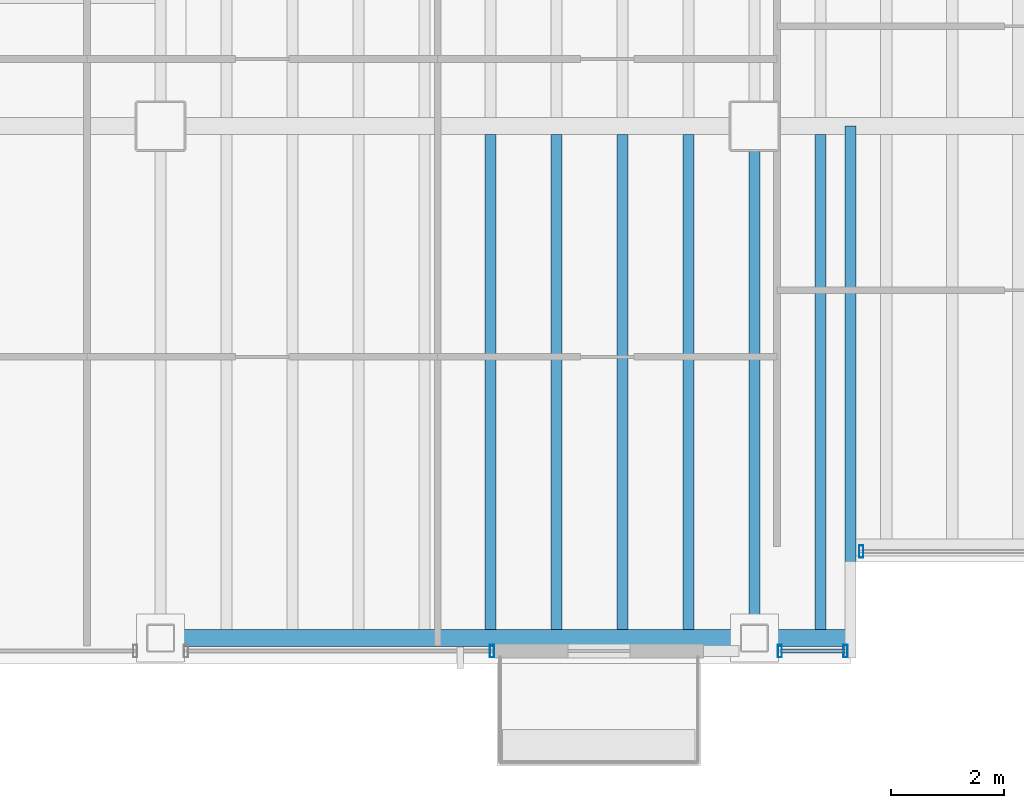
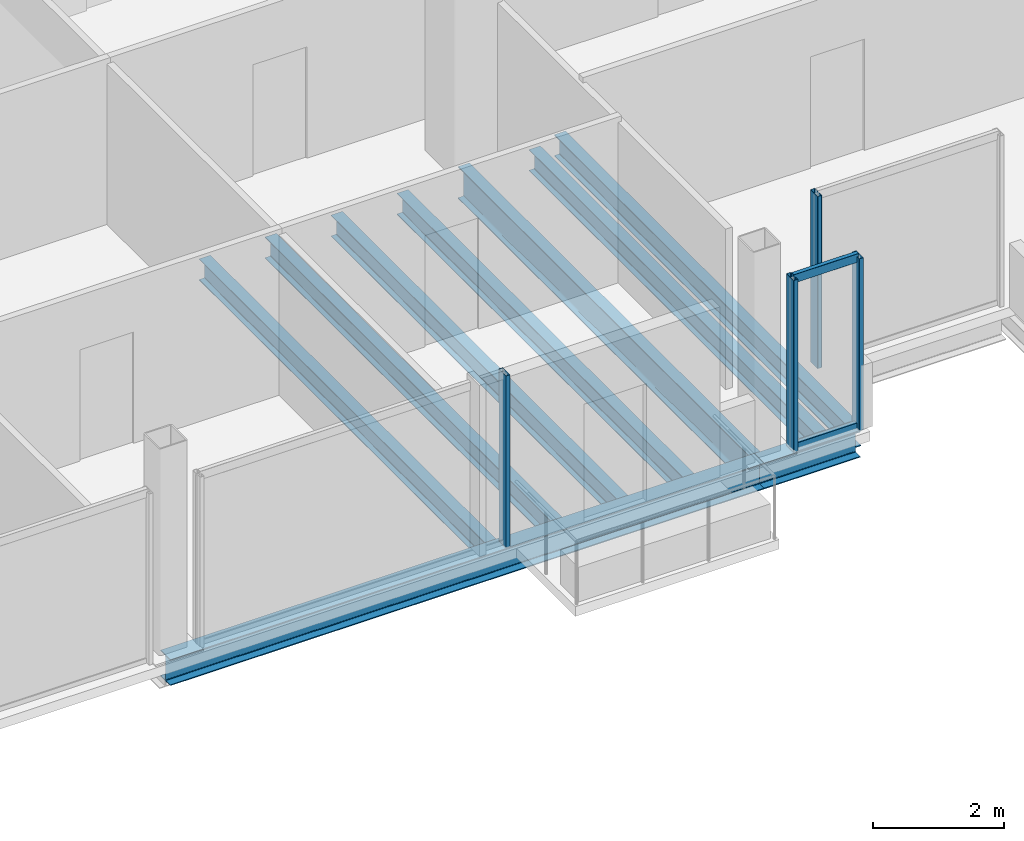
# One storey, part 5 of 22: 9 beams, 6 members, 3 elements without a shape of their own.
"""IFC4 building model written with IfcOpenShell, lengths in metres."""

from ifc_helpers import new_model, si_unit, direction, frame, origin, origin_2d, place, context, subcontext, project, spatial, hollow_rectangle, i_section, extrude, material, material_profile, profile_set, type_object, element, aggregate, save


model = new_model("IFC4")

# Units and contexts
model_context = context("Model", 3, precision=1e-05, world=origin(), true_north=direction((0.0, 1.0)))
body_context = subcontext(model_context, "Body", "Model", "MODEL_VIEW")
ifc_project = project(units=[si_unit("LENGTHUNIT", "METRE"), si_unit("AREAUNIT", "SQUARE_METRE"), si_unit("VOLUMEUNIT", "CUBIC_METRE"), si_unit("PLANEANGLEUNIT", "RADIAN"), si_unit("MASSUNIT", "GRAM", prefix="KILO")], contexts=[model_context])

# Site, building, storey
site_placement = place(None, origin())
site = spatial("IfcSite", under=ifc_project, at=site_placement, CompositionType="ELEMENT")
building_placement = place(site_placement, origin())
building = spatial("IfcBuilding", under=site, at=building_placement, Name="Noeulbin Bourse Tower", CompositionType="ELEMENT")
storey_placement = place(building_placement, frame((0.0, 0.0, 134.39990234375)))
storey = spatial("IfcBuildingStorey", under=building, at=storey_placement, Name="L33", CompositionType="ELEMENT", Elevation=134.39990234375)

# Beams
ifc_material_1 = material(Name="Steel S355", Category="steel")
ifc_material_profile_1 = material_profile(ifc_material_1, i_section(OverallWidth=0.199951171875, OverallDepth=0.60009765625, WebThickness=0.010986328125, FlangeThickness=0.01708984375, FilletRadius=0.02197265625, at=origin_2d()), Name="H-600x200x11x17", Category="LoadBearing")
ifc_profile_set_1 = profile_set([ifc_material_profile_1], Name="Steel S355")
beam_type_1 = type_object("IfcBeamType", Name="BM-GRD-600", PredefinedType="USERDEFINED", material=ifc_profile_set_1)
beam_1_placement = place(storey_placement, frame((24.0, 10.949951171875, -0.47998046875), z_axis=(0.0, 1.0, 0.0), x_axis=(-1.0, 0.0, 0.0)))
element("IfcBeam", 1, at=beam_1_placement, inside=storey, type_object=beam_type_1, Name="Tower Primary Girder NS L33-2.1", ObjectType="GIRDER", PredefinedType="USERDEFINED", context=body_context, shape_type="SweptSolid", body=[
    extrude(i_section(OverallWidth=0.199951171875, OverallDepth=0.60009765625, WebThickness=0.010986328125, FlangeThickness=0.01708984375, FilletRadius=0.02197265625, at=origin_2d()), origin(), (0.0, 0.0, 1.0), 9.050048828125),
])
ifc_material_profile_2 = material_profile(ifc_material_1, i_section(OverallWidth=0.199951171875, OverallDepth=0.39990234375, WebThickness=0.008056640625, FlangeThickness=0.012939453125, FilletRadius=0.01611328125, at=origin_2d()), Name="H-400x200x8x13", Category="LoadBearing")
ifc_profile_set_2 = profile_set([ifc_material_profile_2], Name="Steel S355")
beam_type_2 = type_object("IfcBeamType", Name="BM-SEC-400", PredefinedType="BEAM", material=ifc_profile_set_2)
beam_2_placement = place(storey_placement, frame((25.699951171875, 10.949951171875, -0.3798828125), z_axis=(0.0, 1.0, 0.0), x_axis=(-1.0, 0.0, 0.0)))
element("IfcBeam", 2, at=beam_2_placement, inside=storey, type_object=beam_type_2, Name="BM-L33-SRT-W", PredefinedType="BEAM", context=body_context, shape_type="SweptSolid", body=[
    extrude(i_section(OverallWidth=0.199951171875, OverallDepth=0.39990234375, WebThickness=0.008056640625, FlangeThickness=0.012939453125, FilletRadius=0.01611328125, at=origin_2d()), origin(), (0.0, 0.0, 1.0), 9.050048828125),
])
for number, where, z_axis, x_axis, name in (
    (3, (19.333251953125, 11.10009765625, -0.3798828125), (0.0, 1.0, 0.0), (-1.0, 0.0, 0.0), "Tower Composite Joist L33-09"),
    (4, (20.5, 11.10009765625, -0.3798828125), (0.0, 1.0, 0.0), (-1.0, 0.0, 0.0), "Tower Composite Joist L33-11"),
    (5, (21.666748046875, 11.10009765625, -0.3798828125), (0.0, 1.0, 0.0), (-1.0, 0.0, 0.0), "Tower Composite Joist L33-13"),
    (6, (22.833251953125, 11.10009765625, -0.3798828125), (0.0, 1.0, 0.0), (-1.0, 0.0, 0.0), "Tower Composite Joist L33-15"),
    (7, (25.166748046875, 11.10009765625, -0.3798828125), (0.0, 1.0, 0.0), (-1.0, 0.0, 0.0), "Tower Composite Joist L33-17"),
):
    element("IfcBeam", number, at=place(storey_placement, frame(where, z_axis=z_axis, x_axis=x_axis)), inside=storey, type_object=beam_type_2, Name=name, PredefinedType="BEAM", context=body_context, shape_type="SweptSolid", body=[
        extrude(i_section(OverallWidth=0.199951171875, OverallDepth=0.39990234375, WebThickness=0.008056640625, FlangeThickness=0.012939453125, FilletRadius=0.01611328125, at=origin_2d()), origin(), (0.0, 0.0, 1.0), 8.75),
    ])
ifc_material_profile_3 = material_profile(ifc_material_1, i_section(OverallWidth=0.300048828125, OverallDepth=0.488037109375, WebThickness=0.010986328125, FlangeThickness=0.01806640625, FilletRadius=0.02197265625, at=origin_2d()), Name="H-488x300x11x18", Category="LoadBearing")
ifc_profile_set_3 = profile_set([ifc_material_profile_3], Name="Steel S355")
beam_type_3 = type_object("IfcBeamType", Name="BM-SPN-488", PredefinedType="SPANDREL", material=ifc_profile_set_3)
beam_3_placement = place(storey_placement, frame((13.5, 10.949951171875, -0.423828125), z_axis=(1.0, 0.0, 0.0), x_axis=(0.0, 1.0, 0.0)))
element("IfcBeam", 8, at=beam_3_placement, inside=storey, type_object=beam_type_3, Name="South Spandrel L33-1", PredefinedType="SPANDREL", context=body_context, shape_type="SweptSolid", body=[
    extrude(i_section(OverallWidth=0.300048828125, OverallDepth=0.488037109375, WebThickness=0.010986328125, FlangeThickness=0.01806640625, FilletRadius=0.02197265625, at=origin_2d()), origin(), (0.0, 0.0, 1.0), 10.5),
])
beam_4_placement = place(storey_placement, frame((24.0, 10.949951171875, -0.423828125), z_axis=(1.0, 0.0, 0.0), x_axis=(0.0, 1.0, 0.0)))
element("IfcBeam", 9, at=beam_4_placement, inside=storey, type_object=beam_type_3, Name="South Spandrel L33-2A", PredefinedType="SPANDREL", context=body_context, shape_type="SweptSolid", body=[
    extrude(i_section(OverallWidth=0.300048828125, OverallDepth=0.488037109375, WebThickness=0.010986328125, FlangeThickness=0.01806640625, FilletRadius=0.02197265625, at=origin_2d()), origin(), (0.0, 0.0, 1.0), 1.699951171875),
])

# Curtain wall, member
ifc_material_2 = material(Name="Dark Tinted Triple Glazing", Category="glass")
curtain_wall_type = type_object("IfcCurtainWallType", Name="CW-SYS-3", PredefinedType="NOTDEFINED", material=ifc_material_2)
curtain_wall_1_placement = place(storey_placement, origin())
curtain_wall_1 = element("IfcCurtainWall", 10, at=curtain_wall_1_placement, inside=storey, type_object=curtain_wall_type, Name="Unitised Curtain Wall CW-L33-SREC", PredefinedType="NOTDEFINED")
ifc_material_3 = material(Name="Anodised Aluminium 6063-T6", Category="aluminium")
ifc_material_profile_4 = material_profile(ifc_material_3, hollow_rectangle(XDim=0.074951171875, YDim=0.219970703125, WallThickness=0.0048828125, InnerFilletRadius=0.00244140625, OuterFilletRadius=0.0048828125, at=origin_2d()), Name="ALU-MULL-75x220x5", Category="LoadBearing")
ifc_profile_set_4 = profile_set([ifc_material_profile_4], Name="Anodised Aluminium 6063-T6")
member_type_1 = type_object("IfcMemberType", Name="CW-SYS-3-MUL", PredefinedType="MULLION", material=ifc_profile_set_4)
member_1_placement = place(storey_placement, frame((25.889892578125, 12.47998046875, -0.02001953125), z_axis=(0.0, 0.0, 1.0), x_axis=(1.0, 0.0, 0.0)))
member_1 = element("IfcMember", 11, at=member_1_placement, type_object=member_type_1, Name="Curtain Wall Mullion CW-L33-SREC-M00", PredefinedType="MULLION", context=body_context, shape_type="SweptSolid", body=[
    extrude(hollow_rectangle(XDim=0.074951171875, YDim=0.219970703125, WallThickness=0.0048828125, InnerFilletRadius=0.00244140625, OuterFilletRadius=0.0048828125, at=origin_2d()), origin(), (0.0, 0.0, 1.0), 3.22021484375),
])
aggregate(curtain_wall_1, [member_1])

curtain_wall_2_placement = place(storey_placement, origin())
curtain_wall_2 = element("IfcCurtainWall", 12, at=curtain_wall_2_placement, inside=storey, type_object=curtain_wall_type, Name="Unitised Curtain Wall CW-L33-S1-S2", PredefinedType="NOTDEFINED")
member_2_placement = place(storey_placement, frame((19.360107421875, 10.719970703125, -0.02001953125), z_axis=(0.0, 0.0, 1.0), x_axis=(1.0, 0.0, 0.0)))
member_2 = element("IfcMember", 13, at=member_2_placement, type_object=member_type_1, Name="Curtain Wall Mullion CW-L33-S1-S2-M01", PredefinedType="MULLION", context=body_context, shape_type="SweptSolid", body=[
    extrude(hollow_rectangle(XDim=0.074951171875, YDim=0.219970703125, WallThickness=0.0048828125, InnerFilletRadius=0.00244140625, OuterFilletRadius=0.0048828125, at=origin_2d()), origin(), (0.0, 0.0, 1.0), 3.22021484375),
])
aggregate(curtain_wall_2, [member_2])

# Curtain wall, members
curtain_wall_3_placement = place(storey_placement, origin())
curtain_wall_3 = element("IfcCurtainWall", 14, at=curtain_wall_3_placement, inside=storey, type_object=curtain_wall_type, Name="Unitised Curtain Wall CW-L33-S2", PredefinedType="NOTDEFINED")
member_3_placement = place(storey_placement, frame((24.449951171875, 10.719970703125, -0.02001953125), z_axis=(0.0, 0.0, 1.0), x_axis=(1.0, 0.0, 0.0)))
member_3 = element("IfcMember", 15, at=member_3_placement, type_object=member_type_1, Name="Curtain Wall Mullion CW-L33-S2-M00", PredefinedType="MULLION", context=body_context, shape_type="SweptSolid", body=[
    extrude(hollow_rectangle(XDim=0.074951171875, YDim=0.219970703125, WallThickness=0.0048828125, InnerFilletRadius=0.00244140625, OuterFilletRadius=0.0048828125, at=origin_2d()), origin(), (0.0, 0.0, 1.0), 3.22021484375),
])
member_4_placement = place(storey_placement, frame((25.610107421875, 10.719970703125, -0.02001953125), z_axis=(0.0, 0.0, 1.0), x_axis=(1.0, 0.0, 0.0)))
member_4 = element("IfcMember", 16, at=member_4_placement, type_object=member_type_1, Name="Curtain Wall Mullion CW-L33-S2-M01", PredefinedType="MULLION", context=body_context, shape_type="SweptSolid", body=[
    extrude(hollow_rectangle(XDim=0.074951171875, YDim=0.219970703125, WallThickness=0.0048828125, InnerFilletRadius=0.00244140625, OuterFilletRadius=0.0048828125, at=origin_2d()), origin(), (0.0, 0.0, 1.0), 3.22021484375),
])
ifc_material_profile_5 = material_profile(ifc_material_3, hollow_rectangle(XDim=0.074951171875, YDim=0.159912109375, WallThickness=0.0048828125, InnerFilletRadius=0.00244140625, OuterFilletRadius=0.0048828125, at=origin_2d()), Name="ALU-TRAN-75x160x5", Category="LoadBearing")
ifc_profile_set_5 = profile_set([ifc_material_profile_5], Name="Anodised Aluminium 6063-T6")
member_type_2 = type_object("IfcMemberType", Name="CW-SYS-3-TRN", PredefinedType="USERDEFINED", material=ifc_profile_set_5)
member_5_placement = place(storey_placement, frame((24.4599609375, 10.719970703125, 0.010009765625), z_axis=(1.0, 0.0, 0.0), x_axis=(0.0, 1.0, 0.0)))
member_5 = element("IfcMember", 17, at=member_5_placement, type_object=member_type_2, Name="Curtain Wall Transom CW-L33-S2-T00", ObjectType="TRANSOM", PredefinedType="USERDEFINED", context=body_context, shape_type="SweptSolid", body=[
    extrude(hollow_rectangle(XDim=0.074951171875, YDim=0.159912109375, WallThickness=0.0048828125, InnerFilletRadius=0.00244140625, OuterFilletRadius=0.0048828125, at=origin_2d()), origin(), (0.0, 0.0, 1.0), 1.14013671875),
])
member_6_placement = place(storey_placement, frame((24.4599609375, 10.719970703125, 3.170166015625), z_axis=(1.0, 0.0, 0.0), x_axis=(0.0, 1.0, 0.0)))
member_6 = element("IfcMember", 18, at=member_6_placement, type_object=member_type_2, Name="Curtain Wall Transom CW-L33-S2-T01", ObjectType="TRANSOM", PredefinedType="USERDEFINED", context=body_context, shape_type="SweptSolid", body=[
    extrude(hollow_rectangle(XDim=0.074951171875, YDim=0.159912109375, WallThickness=0.0048828125, InnerFilletRadius=0.00244140625, OuterFilletRadius=0.0048828125, at=origin_2d()), origin(), (0.0, 0.0, 1.0), 1.14013671875),
])
aggregate(curtain_wall_3, [member_3, member_4, member_5, member_6])

save(model, "model.ifc")
